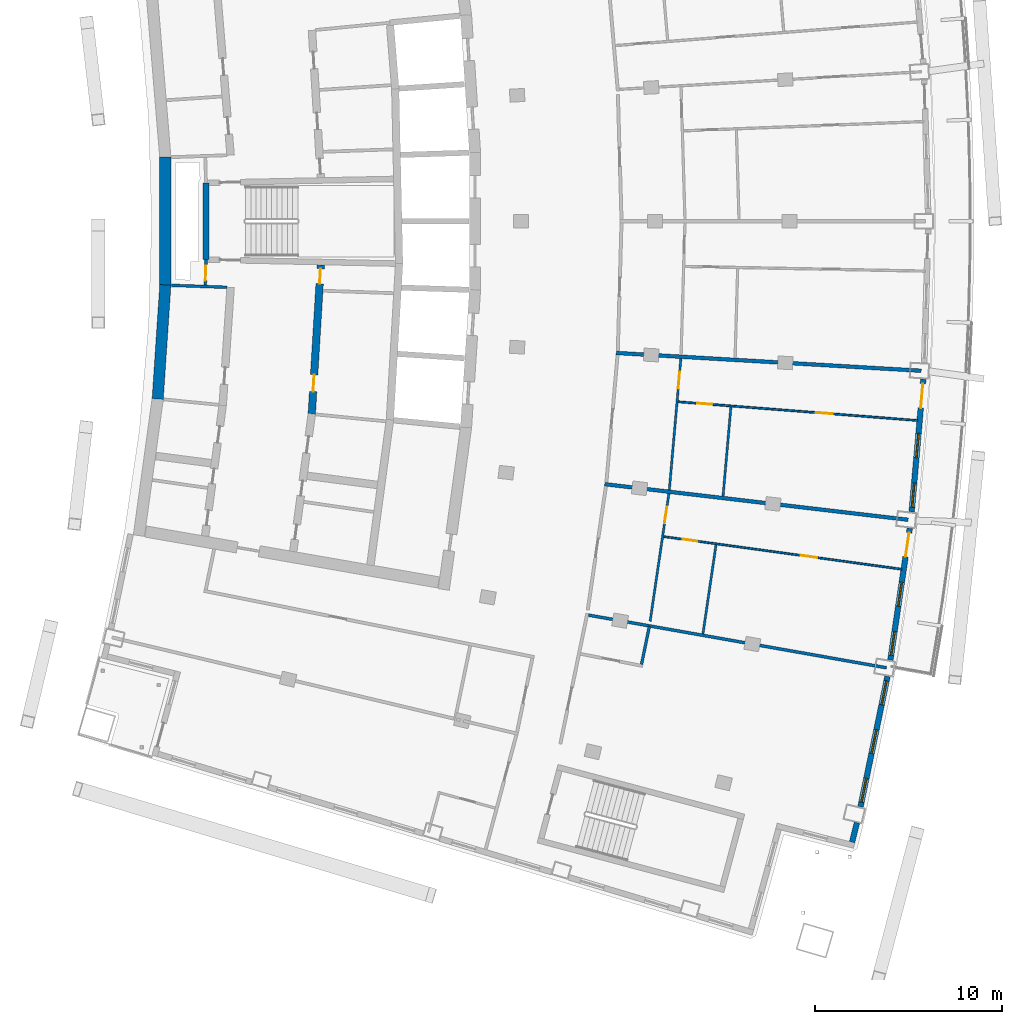
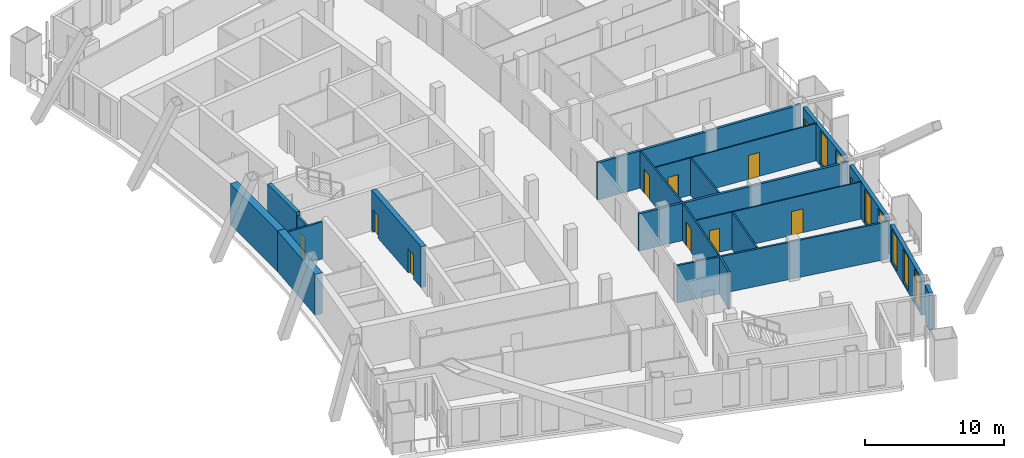
# One storey, part 11 of 19: 20 walls, 11 doors, 7 windows, 18 openings.
"""IFC4 building model written with IfcOpenShell, lengths in metres."""

import ifcopenshell
import ifcopenshell.guid

model = None  # the IFC model being written
_history = None  # IfcOwnerHistory: only IFC2X3 demands one
_inside = {}  # id of a spatial element -> (the spatial element, [elements in it])
_under = {}  # id of a project, library or spatial element -> (it, [spatial elements below it])
_declared = {}  # id of a project -> (the project, [libraries it declares])
_typed = {}  # id of a type object -> (the type object, [elements of that type])
_made_of = {}  # id of a material, layer set ... -> (it, [elements and type objects made of it])


def new_model(schema):
    """Start an empty IFC model of exactly this schema.

    Asked for "IFC4X3", IfcOpenShell would pick the latest addendum, in which some entities
    have other attributes; the version numbers below select the first issue.
    IFC2X3 requires an IfcOwnerHistory on every rooted entity: one is made here for all.
    """
    global model, _history
    if schema == "IFC4X3":
        model = ifcopenshell.file(schema_version=(4, 3, 0, 0))
    else:
        model = ifcopenshell.file(schema=schema)
    _inside.clear()
    _under.clear()
    _declared.clear()
    _typed.clear()
    _made_of.clear()
    _history = None
    if model.schema == "IFC2X3":
        org = make("IfcOrganization", Name="unknown")
        user = make(
            "IfcPersonAndOrganization",
            ThePerson=make("IfcPerson", FamilyName="unknown"),
            TheOrganization=org,
        )
        app = make(
            "IfcApplication",
            ApplicationDeveloper=org,
            Version="unknown",
            ApplicationFullName="unknown",
            ApplicationIdentifier="unknown",
        )
        _history = make(
            "IfcOwnerHistory",
            OwningUser=user,
            OwningApplication=app,
            ChangeAction="ADDED",
            CreationDate=0,
        )
    return model


def make(cls, **values):
    """One entity of the class cls with the attributes given. An attribute that is None is left unset."""
    return model.create_entity(
        cls, **{name: value for name, value in values.items() if value is not None}
    )


def rooted(cls, **values):
    """An entity with a GlobalId (a new one), such as an element, a storey or a relation."""
    return make(cls, GlobalId=ifcopenshell.guid.new(), OwnerHistory=_history, **values)


def si_unit(unit_type, name, prefix=None):
    """IfcSIUnit, for example si_unit("LENGTHUNIT", "METRE", prefix="MILLI")."""
    return make("IfcSIUnit", UnitType=unit_type, Prefix=prefix, Name=name)


def assignment(units):
    """IfcUnitAssignment: the units of a project."""
    return None if units is None else make("IfcUnitAssignment", Units=units)


def point(xyz):
    """IfcCartesianPoint."""
    return None if xyz is None else make("IfcCartesianPoint", Coordinates=xyz)


def direction(xyz):
    """IfcDirection."""
    return None if xyz is None else make("IfcDirection", DirectionRatios=xyz)


def frame(location, z_axis=None, x_axis=None):
    """IfcAxis2Placement3D, a coordinate frame: its origin and axes. An axis left out is left unset."""
    return make(
        "IfcAxis2Placement3D",
        Location=point(location),
        Axis=direction(z_axis),
        RefDirection=direction(x_axis),
    )


def frame_2d(location, x_axis=None):
    """IfcAxis2Placement2D, a coordinate frame in the plane: its origin and x axis."""
    return make(
        "IfcAxis2Placement2D", Location=point(location), RefDirection=direction(x_axis)
    )


def origin():
    """The frame at (0, 0, 0) with its axes left unset."""
    return frame((0.0, 0.0, 0.0))


def place(relative_to, where):
    """IfcLocalPlacement: puts the frame where relative to a parent placement (None: the world)."""
    return make(
        "IfcLocalPlacement", PlacementRelTo=relative_to, RelativePlacement=where
    )


def context(
    kind, dimensions, precision=None, world=None, true_north=None, identifier=None
):
    """IfcGeometricRepresentationContext, for example the 3D "Model" context."""
    return make(
        "IfcGeometricRepresentationContext",
        ContextIdentifier=identifier,
        ContextType=kind,
        CoordinateSpaceDimension=dimensions,
        Precision=precision,
        WorldCoordinateSystem=world,
        TrueNorth=true_north,
    )


def subcontext(parent, identifier, kind, view, scale=None):
    """IfcGeometricRepresentationSubContext, for example "Body" below "Model"."""
    return make(
        "IfcGeometricRepresentationSubContext",
        ContextIdentifier=identifier,
        ContextType=kind,
        ParentContext=parent,
        TargetScale=scale,
        TargetView=view,
    )


def project(units=None, contexts=None):
    """IfcProject with its units and contexts."""
    return rooted(
        "IfcProject",
        Name="project",
        RepresentationContexts=contexts,
        UnitsInContext=assignment(units),
    )


def spatial(cls, under=None, at=None, **own):
    """A site, building, storey or space (cls), placed at a placement, below another one or the project."""
    s = rooted(cls, ObjectPlacement=at, **own)
    if under is not None:
        _under.setdefault(under.id(), (under, []))[1].append(s)
    return s


def profile(cls, at=None, kind="AREA", **sizes):
    """A parametric profile (cls). Its sizes go by their IFC names, for example OverallWidth=200.0."""
    return make(cls, ProfileType=kind, Position=at, **sizes)


def rectangle(**sizes):
    """IfcRectangleProfileDef."""
    return profile("IfcRectangleProfileDef", **sizes)


def extrude(swept, where, along, depth):
    """IfcExtrudedAreaSolid: the profile swept, set in the frame where, extruded along a direction by depth."""
    return make(
        "IfcExtrudedAreaSolid",
        SweptArea=swept,
        Position=where,
        ExtrudedDirection=direction(along),
        Depth=depth,
    )


def shape(context_of_items, identifier, shape_type, items):
    """IfcShapeRepresentation: the items that make up one representation, for example the "Body"."""
    return make(
        "IfcShapeRepresentation",
        ContextOfItems=context_of_items,
        RepresentationIdentifier=identifier,
        RepresentationType=shape_type,
        Items=items,
    )


def material(Name=None, Category=None):
    """IfcMaterial."""
    return make("IfcMaterial", Name=Name, Category=Category)


def layer(
    of_material, thickness, ventilated=None, Name=None, Category=None, Priority=None
):
    """IfcMaterialLayer: one layer of a wall or slab, of a material (None: an air gap)."""
    return make(
        "IfcMaterialLayer",
        Material=of_material,
        LayerThickness=thickness,
        IsVentilated=ventilated,
        Name=Name,
        Category=Category,
        Priority=Priority,
    )


def layer_set(layers, Name=None):
    """IfcMaterialLayerSet."""
    return make("IfcMaterialLayerSet", MaterialLayers=layers, LayerSetName=Name)


def made_of(thing, what):
    """Note that an element or type object is made of a material, layer set ...; save() writes the relation."""
    if what is not None:
        _made_of.setdefault(what.id(), (what, []))[1].append(thing)
    return thing


def type_object(cls, material=None, **own):
    """A type object (cls), such as IfcWallType, which elements share."""
    return made_of(rooted(cls, **own), material)


def element(
    cls,
    number,
    at=None,
    inside=None,
    cuts=None,
    type_object=None,
    material=None,
    context=None,
    identifier="Body",
    shape_type=None,
    held_by="IfcProductDefinitionShape",
    body=None,
    shapes=None,
    **own,
):
    """One element of the class cls, such as IfcWall. Its Tag is "e" and its number.

    at: its placement. inside: the storey or other place that contains it. cuts: it is an
    opening in that element (IfcRelVoidsElement). A single representation is given by context,
    identifier, shape_type and body (its items); several are given by shapes. held_by: the class
    of the entity that holds the representations. save() writes the other relations.
    """
    e = rooted(cls, Tag="e%d" % number, ObjectPlacement=at, **own)
    if body is not None:
        shapes = [shape(context, identifier, shape_type, body)]
    if shapes is not None:
        e.Representation = make(held_by, Representations=shapes)
    if inside is not None:
        _inside.setdefault(inside.id(), (inside, []))[1].append(e)
    if cuts is not None:
        rooted(
            "IfcRelVoidsElement", RelatingBuildingElement=cuts, RelatedOpeningElement=e
        )
    if type_object is not None:
        _typed.setdefault(type_object.id(), (type_object, []))[1].append(e)
    return made_of(e, material)


def fill(opening, filler):
    """IfcRelFillsElement: the door or window that sits in an opening."""
    return rooted(
        "IfcRelFillsElement",
        RelatingOpeningElement=opening,
        RelatedBuildingElement=filler,
    )


def aggregate(whole, parts):
    """IfcRelAggregates: a whole, such as a stair, and the parts it consists of."""
    return rooted("IfcRelAggregates", RelatingObject=whole, RelatedObjects=parts)


def save(model, path):
    """Write the relations noted so far, then the file.

    IfcRelAggregates (storeys below a building ...), IfcRelContainedInSpatialStructure (elements
    in a storey), IfcRelDefinesByType, IfcRelAssociatesMaterial and IfcRelDeclares: one each for
    every whole, place, type object, material and project.
    """
    for whole, parts in _under.values():
        aggregate(whole, parts)
    for where, things in _inside.values():
        rooted(
            "IfcRelContainedInSpatialStructure",
            RelatedElements=things,
            RelatingStructure=where,
        )
    for kind, things in _typed.values():
        rooted("IfcRelDefinesByType", RelatedObjects=things, RelatingType=kind)
    for what, things in _made_of.values():
        rooted("IfcRelAssociatesMaterial", RelatedObjects=things, RelatingMaterial=what)
    for by, libraries in _declared.values():
        rooted("IfcRelDeclares", RelatingContext=by, RelatedDefinitions=libraries)
    model.write(path)


model = new_model("IFC4")

# Units and contexts
model_context = context("Model", 3, precision=1e-05, world=origin(), true_north=direction((0.0, 1.0)))
body_context = subcontext(model_context, "Body", "Model", "MODEL_VIEW")
ifc_project = project(units=[si_unit("LENGTHUNIT", "METRE"), si_unit("AREAUNIT", "SQUARE_METRE"), si_unit("VOLUMEUNIT", "CUBIC_METRE"), si_unit("PLANEANGLEUNIT", "RADIAN"), si_unit("MASSUNIT", "GRAM", prefix="KILO")], contexts=[model_context])

# Site, building, storey
site_placement = place(None, origin())
site = spatial("IfcSite", under=ifc_project, at=site_placement, CompositionType="ELEMENT")
building_placement = place(site_placement, origin())
building = spatial("IfcBuilding", under=site, at=building_placement, Name="Alderwake Tower", CompositionType="ELEMENT")
storey_placement = place(building_placement, frame((0.0, 0.0, 221.60009765625)))
storey = spatial("IfcBuildingStorey", under=building, at=storey_placement, Name="L55", CompositionType="ELEMENT", Elevation=221.60009765625)

# Wall, opening, door
ifc_material_1 = material(Name="Gypsum shaft wall system, rated")
ifc_layer_1 = layer(ifc_material_1, 0.14990234375)
ifc_layer_set_1 = layer_set([ifc_layer_1], Name="Core room partition 150")
wall_type_1 = type_object("IfcWallType", Name="Core room partition 150", PredefinedType="PARTITIONING", material=ifc_layer_set_1)
wall_1_placement = place(storey_placement, frame((18.918701171875, 58.94384765625, 0.0), z_axis=(0.0, 0.0, 1.0), x_axis=(-0.027811602725, -0.999613182563, 0.0)))
wall_1 = element("IfcWall", 1, at=wall_1_placement, inside=storey, type_object=wall_type_1, Name="CW/L55/PA+24_-37", PredefinedType="PARTITIONING", context=body_context, shape_type="SweptSolid", body=[
    extrude(rectangle(XDim=1.369384765625, YDim=0.14990234375, at=frame_2d((0.6845703125, 0.0))), origin(), (0.0, 0.0, 1.0), 3.27978515625),
])
opening_1_placement = place(wall_1_placement, frame((0.322998046875, 0.0, 0.0)))
opening_1 = element("IfcOpeningElement", 2, at=opening_1_placement, cuts=wall_1, Name="Opening C004", PredefinedType="OPENING", context=body_context, shape_type="SweptSolid", body=[
    extrude(rectangle(XDim=0.800048828125, YDim=2.0, at=frame_2d((0.39990234375, 1.0))), frame((0.0, 0.0849609375, 0.0), z_axis=(0.0, -1.0, 0.0), x_axis=(1.0, 0.0, 0.0)), (0.0, 0.0, 1.0), 0.169921875),
])
ifc_material_2 = material(Name="Painted steel leaf, rated", Category="steel")
door_type_1 = type_object("IfcDoorType", Name="Riser access door 800", OperationType="SINGLE_SWING_LEFT", PredefinedType="DOOR", material=ifc_material_2)
door_1_placement = place(opening_1_placement, origin())
door_1 = element("IfcDoor", 3, at=door_1_placement, inside=storey, type_object=door_type_1, Name="Riser access door", OperationType="SINGLE_SWING_RIGHT", OverallHeight=2.0, OverallWidth=0.800048828125, PredefinedType="DOOR", context=body_context, shape_type="SweptSolid", body=[
    extrude(rectangle(XDim=0.800048828125, YDim=2.0, at=frame_2d((0.39990234375, 1.0))), frame((0.0, 0.02490234375, 0.0), z_axis=(0.0, -1.0, 0.0), x_axis=(1.0, 0.0, 0.0)), (0.0, 0.0, 1.0), 0.050048828125),
])
fill(opening_1, door_1)

# Walls
wall_2_placement = place(storey_placement, frame((17.0693359375, 57.56396484375, 0.0), z_axis=(0.0, 0.0, 1.0), x_axis=(0.999374945052, -0.03535136775, 0.0)))
element("IfcWall", 4, at=wall_2_placement, inside=storey, type_object=wall_type_1, Name="CW/L55/PR-37_+0", PredefinedType="PARTITIONING", context=body_context, shape_type="SweptSolid", body=[
    extrude(rectangle(XDim=2.9697265625, YDim=0.14990234375, at=frame_2d((1.48486328125, 0.0))), origin(), (0.0, 0.0, 1.0), 3.27978515625),
])
ifc_material_3 = material(Name="Concrete C70/85", Category="concrete")
ifc_layer_2 = layer(ifc_material_3, 0.60009765625)
ifc_layer_set_2 = layer_set([ifc_layer_2], Name="Core wall outer 600 C70-85")
wall_type_2 = type_object("IfcWallType", Name="Core wall outer 600 C70-85", PredefinedType="SHEAR", material=ifc_layer_set_2)
wall_3_placement = place(storey_placement, frame((16.330078125, 51.469970703125, 0.0), z_axis=(0.0, 0.0, 1.0), x_axis=(0.066870582109, 0.997761657536, 0.0)))
element("IfcWall", 5, at=wall_3_placement, inside=storey, type_object=wall_type_2, Name="Core wall CW.036", PredefinedType="SHEAR", context=body_context, shape_type="SweptSolid", body=[
    extrude(rectangle(XDim=6.1298828125, YDim=0.60009765625, at=frame_2d((3.06494140625, 0.0))), origin(), (0.0, 0.0, 1.0), 3.599853515625),
])
wall_4_placement = place(storey_placement, frame((16.739501953125, 57.565185546875, 0.0), z_axis=(0.0, 0.0, 1.0), x_axis=(0.0, 1.0, 0.0)))
element("IfcWall", 6, at=wall_4_placement, inside=storey, type_object=wall_type_2, Name="Core wall CW.038", PredefinedType="SHEAR", context=body_context, shape_type="SweptSolid", body=[
    extrude(rectangle(XDim=6.8720703125, YDim=0.60009765625, at=frame_2d((3.43603515625, 0.0))), origin(), (0.0, 0.0, 1.0), 3.599853515625),
])

# Wall, openings, doors
ifc_material_4 = material(Name="Concrete C70/85", Category="concrete")
ifc_layer_3 = layer(ifc_material_4, 0.39990234375)
ifc_layer_set_3 = layer_set([ifc_layer_3], Name="Core wall spine 400 C70-85")
wall_type_3 = type_object("IfcWallType", Name="Core wall spine 400 C70-85", PredefinedType="SHEAR", material=ifc_layer_set_3)
wall_5_placement = place(storey_placement, frame((24.590087890625, 50.65673828125, 0.0), z_axis=(0.0, 0.0, 1.0), x_axis=(0.060318641452, 0.998179173041, 0.0)))
wall_5 = element("IfcWall", 7, at=wall_5_placement, inside=storey, type_object=wall_type_3, Name="Core wall CW.046", PredefinedType="SHEAR", context=body_context, shape_type="SweptSolid", body=[
    extrude(rectangle(XDim=8.022216796875, YDim=0.39990234375, at=frame_2d((4.01123046875, 0.0))), origin(), (0.0, 0.0, 1.0), 3.599853515625),
])
opening_2_placement = place(wall_5_placement, frame((7.006103515625, 0.0, 0.0)))
opening_2 = element("IfcOpeningElement", 8, at=opening_2_placement, cuts=wall_5, Name="Opening C006", PredefinedType="OPENING", context=body_context, shape_type="SweptSolid", body=[
    extrude(rectangle(XDim=0.800048828125, YDim=2.0, at=frame_2d((0.39990234375, 1.0))), frame((0.0, 0.2099609375, 0.0), z_axis=(0.0, -1.0, 0.0), x_axis=(1.0, 0.0, 0.0)), (0.0, 0.0, 1.0), 0.419921875),
])
opening_3_placement = place(wall_5_placement, frame((1.21533203125, 0.0, 0.0)))
opening_3 = element("IfcOpeningElement", 9, at=opening_3_placement, cuts=wall_5, Name="Opening C046", PredefinedType="OPENING", context=body_context, shape_type="SweptSolid", body=[
    extrude(rectangle(XDim=0.89990234375, YDim=2.10009765625, at=frame_2d((0.449951171875, 1.050048828125))), frame((0.0, 0.2099609375, 0.0), z_axis=(0.0, -1.0, 0.0), x_axis=(1.0, 0.0, 0.0)), (0.0, 0.0, 1.0), 0.419921875),
])
ifc_material_5 = material(Name="Painted steel leaf", Category="steel")
door_type_2 = type_object("IfcDoorType", Name="Core room door 900", OperationType="SINGLE_SWING_LEFT", PredefinedType="DOOR", material=ifc_material_5)
door_2_placement = place(opening_3_placement, origin())
door_2 = element("IfcDoor", 10, at=door_2_placement, inside=storey, type_object=door_type_2, Name="Room door", OperationType="SINGLE_SWING_RIGHT", OverallHeight=2.10009765625, OverallWidth=0.89990234375, PredefinedType="DOOR", context=body_context, shape_type="SweptSolid", body=[
    extrude(rectangle(XDim=0.89990234375, YDim=2.10009765625, at=frame_2d((0.449951171875, 1.050048828125))), frame((0.0, 0.02490234375, 0.0), z_axis=(0.0, -1.0, 0.0), x_axis=(1.0, 0.0, 0.0)), (0.0, 0.0, 1.0), 0.050048828125),
])
fill(opening_3, door_2)
door_3_placement = place(opening_2_placement, origin())
door_3 = element("IfcDoor", 11, at=door_3_placement, inside=storey, type_object=door_type_1, Name="Riser access door", OperationType="SINGLE_SWING_RIGHT", OverallHeight=2.0, OverallWidth=0.800048828125, PredefinedType="DOOR", context=body_context, shape_type="SweptSolid", body=[
    extrude(rectangle(XDim=0.800048828125, YDim=2.0, at=frame_2d((0.39990234375, 1.0))), frame((0.0, 0.02490234375, 0.0), z_axis=(0.0, -1.0, 0.0), x_axis=(1.0, 0.0, 0.0)), (0.0, 0.0, 1.0), 0.050048828125),
])
fill(opening_2, door_3)

# Walls
ifc_material_6 = material(Name="Concrete C70/85", Category="concrete")
ifc_layer_4 = layer(ifc_material_6, 0.300048828125)
ifc_layer_set_4 = layer_set([ifc_layer_4], Name="Core wall stair enclosure 300 C70-85")
wall_type_4 = type_object("IfcWallType", Name="Core wall stair enclosure 300 C70-85", PredefinedType="SHEAR", material=ifc_layer_set_4)
wall_6_placement = place(storey_placement, frame((18.918701171875, 58.940673828125, 0.0), z_axis=(0.0, 0.0, 1.0), x_axis=(0.0, 1.0, 0.0)))
element("IfcWall", 12, at=wall_6_placement, inside=storey, type_object=wall_type_4, Name="Core wall CW.024", PredefinedType="SHEAR", context=body_context, shape_type="SweptSolid", body=[
    extrude(rectangle(XDim=4.11962890625, YDim=0.300048828125, at=frame_2d((2.059814453125, 0.0))), origin(), (0.0, 0.0, 1.0), 3.599853515625),
])
ifc_material_7 = material(Name="Gypsum board on metal studs, rated")
ifc_layer_5 = layer(ifc_material_7, 0.159912109375)
ifc_layer_set_5 = layer_set([ifc_layer_5], Name="Corridor wall 160")
wall_type_5 = type_object("IfcWallType", Name="Corridor wall 160", PredefinedType="PARTITIONING", material=ifc_layer_set_5)
wall_7_placement = place(storey_placement, frame((55.40087890625, 37.05908203125, 0.0), z_axis=(0.0, 0.0, 1.0), x_axis=(-0.984730635728, 0.174084965054, 0.0)))
element("IfcWall", 13, at=wall_7_placement, inside=storey, type_object=wall_type_5, Name="WL/L55/W30", PredefinedType="PARTITIONING", context=body_context, shape_type="SweptSolid", body=[
    extrude(rectangle(XDim=16.221923828125, YDim=0.159912109375, at=frame_2d((8.11083984375, 0.0))), origin(), (0.0, 0.0, 1.0), 3.27978515625),
])
ifc_material_8 = material(Name="Precast concrete C50/60 spandrel panel", Category="concrete")
ifc_layer_6 = layer(ifc_material_8, 0.300048828125)
ifc_layer_set_6 = layer_set([ifc_layer_6], Name="External wall EW1 Precast concrete C50/60 spandrel")
wall_type_6 = type_object("IfcWallType", Name="External wall EW1 Precast concrete C50/60 spandrel", PredefinedType="SOLIDWALL", material=ifc_layer_set_6)
wall_8_placement = place(storey_placement, frame((53.560546875, 27.70849609375, 0.0), z_axis=(0.0, 0.0, 1.0), x_axis=(0.238370874344, 0.971174199752, 0.0)))
element("IfcWall", 14, at=wall_8_placement, inside=storey, type_object=wall_type_6, Name="External wall 11", PredefinedType="SOLIDWALL", context=body_context, shape_type="SweptSolid", body=[
    extrude(rectangle(XDim=1.076416015625, YDim=0.300048828125, at=frame_2d((0.5380859375, 0.0))), origin(), (0.0, 0.0, 1.0), 3.27978515625),
])

# Wall, openings, windows
wall_9_placement = place(storey_placement, frame((54.010498046875, 29.6103515625, 0.0), z_axis=(0.0, 0.0, 1.0), x_axis=(0.202739139566, 0.979232781972, 0.0)))
wall_9 = element("IfcWall", 15, at=wall_9_placement, inside=storey, type_object=wall_type_6, Name="External wall 12", PredefinedType="SOLIDWALL", context=body_context, shape_type="SweptSolid", body=[
    extrude(rectangle(XDim=7.1337890625, YDim=0.300048828125, at=frame_2d((3.56689453125, 0.0))), origin(), (0.0, 0.0, 1.0), 3.27978515625),
])
opening_4_placement = place(wall_9_placement, frame((0.24560546875, 0.0, 0.199951171875)))
opening_4 = element("IfcOpeningElement", 16, at=opening_4_placement, cuts=wall_9, Name="Opening W1", PredefinedType="OPENING", context=body_context, shape_type="SweptSolid", body=[
    extrude(rectangle(XDim=1.300048828125, YDim=2.89990234375, at=frame_2d((0.64990234375, 1.449951171875))), frame((0.0, 0.159912109375, 0.0), z_axis=(0.0, -1.0, 0.0), x_axis=(1.0, 0.0, 0.0)), (0.0, 0.0, 1.0), 0.320068359375),
])
opening_5_placement = place(wall_9_placement, frame((2.916748046875, 0.0, 0.199951171875)))
opening_5 = element("IfcOpeningElement", 17, at=opening_5_placement, cuts=wall_9, Name="Opening W1", PredefinedType="OPENING", context=body_context, shape_type="SweptSolid", body=[
    extrude(rectangle(XDim=1.300048828125, YDim=2.89990234375, at=frame_2d((0.64990234375, 1.449951171875))), frame((0.0, 0.159912109375, 0.0), z_axis=(0.0, -1.0, 0.0), x_axis=(1.0, 0.0, 0.0)), (0.0, 0.0, 1.0), 0.320068359375),
])
opening_6_placement = place(wall_9_placement, frame((5.588134765625, 0.0, 0.199951171875)))
opening_6 = element("IfcOpeningElement", 18, at=opening_6_placement, cuts=wall_9, Name="Opening W1", PredefinedType="OPENING", context=body_context, shape_type="SweptSolid", body=[
    extrude(rectangle(XDim=1.300048828125, YDim=2.89990234375, at=frame_2d((0.64990234375, 1.449951171875))), frame((0.0, 0.159912109375, 0.0), z_axis=(0.0, -1.0, 0.0), x_axis=(1.0, 0.0, 0.0)), (0.0, 0.0, 1.0), 0.320068359375),
])
ifc_material_9 = material(Name="Bronze tinted glass in aluminium frame", Category="aluminium")
window_type = type_object("IfcWindowType", Name="Window W1 tall fixed and vent", PartitioningType="DOUBLE_PANEL_VERTICAL", PredefinedType="WINDOW", material=ifc_material_9)
window_1_placement = place(opening_4_placement, origin())
window_1 = element("IfcWindow", 19, at=window_1_placement, inside=storey, type_object=window_type, Name="Window W1 tall fixed and vent", OverallHeight=2.89990234375, OverallWidth=1.300048828125, PartitioningType="DOUBLE_PANEL_VERTICAL", PredefinedType="WINDOW", context=body_context, shape_type="SweptSolid", body=[
    extrude(rectangle(XDim=1.300048828125, YDim=2.89990234375, at=frame_2d((0.64990234375, 1.449951171875))), frame((0.0, 0.030029296875, 0.0), z_axis=(0.0, -1.0, 0.0), x_axis=(1.0, 0.0, 0.0)), (0.0, 0.0, 1.0), 0.06005859375),
])
fill(opening_4, window_1)
window_2_placement = place(opening_5_placement, origin())
window_2 = element("IfcWindow", 20, at=window_2_placement, inside=storey, type_object=window_type, Name="Window W1 tall fixed and vent", OverallHeight=2.89990234375, OverallWidth=1.300048828125, PartitioningType="DOUBLE_PANEL_VERTICAL", PredefinedType="WINDOW", context=body_context, shape_type="SweptSolid", body=[
    extrude(rectangle(XDim=1.300048828125, YDim=2.89990234375, at=frame_2d((0.64990234375, 1.449951171875))), frame((0.0, 0.030029296875, 0.0), z_axis=(0.0, -1.0, 0.0), x_axis=(1.0, 0.0, 0.0)), (0.0, 0.0, 1.0), 0.06005859375),
])
fill(opening_5, window_2)
window_3_placement = place(opening_6_placement, origin())
window_3 = element("IfcWindow", 21, at=window_3_placement, inside=storey, type_object=window_type, Name="Window W1 tall fixed and vent", OverallHeight=2.89990234375, OverallWidth=1.300048828125, PartitioningType="DOUBLE_PANEL_VERTICAL", PredefinedType="WINDOW", context=body_context, shape_type="SweptSolid", body=[
    extrude(rectangle(XDim=1.300048828125, YDim=2.89990234375, at=frame_2d((0.64990234375, 1.449951171875))), frame((0.0, 0.030029296875, 0.0), z_axis=(0.0, -1.0, 0.0), x_axis=(1.0, 0.0, 0.0)), (0.0, 0.0, 1.0), 0.06005859375),
])
fill(opening_6, window_3)

# Wall, openings, door, windows
wall_10_placement = place(storey_placement, frame((55.612548828125, 37.4765625, 0.0), z_axis=(0.0, 0.0, 1.0), x_axis=(0.14531565173, 0.989385345233, 0.0)))
wall_10 = element("IfcWall", 22, at=wall_10_placement, inside=storey, type_object=wall_type_6, Name="External wall 13", PredefinedType="SOLIDWALL", context=body_context, shape_type="SweptSolid", body=[
    extrude(rectangle(XDim=7.133544921875, YDim=0.300048828125, at=frame_2d((3.56689453125, 0.0))), origin(), (0.0, 0.0, 1.0), 3.27978515625),
])
opening_7_placement = place(wall_10_placement, frame((0.24560546875, 0.0, 0.199951171875)))
opening_7 = element("IfcOpeningElement", 23, at=opening_7_placement, cuts=wall_10, Name="Opening W1", PredefinedType="OPENING", context=body_context, shape_type="SweptSolid", body=[
    extrude(rectangle(XDim=1.300048828125, YDim=2.89990234375, at=frame_2d((0.64990234375, 1.449951171875))), frame((0.0, 0.159912109375, 0.0), z_axis=(0.0, -1.0, 0.0), x_axis=(1.0, 0.0, 0.0)), (0.0, 0.0, 1.0), 0.320068359375),
])
opening_8_placement = place(wall_10_placement, frame((2.916748046875, 0.0, 0.199951171875)))
opening_8 = element("IfcOpeningElement", 24, at=opening_8_placement, cuts=wall_10, Name="Opening W1", PredefinedType="OPENING", context=body_context, shape_type="SweptSolid", body=[
    extrude(rectangle(XDim=1.300048828125, YDim=2.89990234375, at=frame_2d((0.64990234375, 1.449951171875))), frame((0.0, 0.159912109375, 0.0), z_axis=(0.0, -1.0, 0.0), x_axis=(1.0, 0.0, 0.0)), (0.0, 0.0, 1.0), 0.320068359375),
])
opening_9_placement = place(wall_10_placement, frame((5.588134765625, 0.0, 0.0)))
opening_9 = element("IfcOpeningElement", 25, at=opening_9_placement, cuts=wall_10, Name="Opening D02", PredefinedType="OPENING", context=body_context, shape_type="SweptSolid", body=[
    extrude(rectangle(XDim=1.300048828125, YDim=2.39990234375, at=frame_2d((0.64990234375, 1.199951171875))), frame((0.0, 0.159912109375, 0.0), z_axis=(0.0, -1.0, 0.0), x_axis=(1.0, 0.0, 0.0)), (0.0, 0.0, 1.0), 0.320068359375),
])
ifc_material_10 = material(Name="Bronze tinted glass in aluminium frame", Category="aluminium")
door_type_3 = type_object("IfcDoorType", Name="Balcony door BD sliding", OperationType="SLIDING_TO_LEFT", PredefinedType="DOOR", material=ifc_material_10)
door_4_placement = place(opening_9_placement, origin())
door_4 = element("IfcDoor", 26, at=door_4_placement, inside=storey, type_object=door_type_3, Name="Door D02", OperationType="SLIDING_TO_LEFT", OverallHeight=2.39990234375, OverallWidth=1.300048828125, PredefinedType="DOOR", context=body_context, shape_type="SweptSolid", body=[
    extrude(rectangle(XDim=1.300048828125, YDim=2.39990234375, at=frame_2d((0.64990234375, 1.199951171875))), frame((0.0, 0.02490234375, 0.0), z_axis=(0.0, -1.0, 0.0), x_axis=(1.0, 0.0, 0.0)), (0.0, 0.0, 1.0), 0.050048828125),
])
fill(opening_9, door_4)
window_4_placement = place(opening_7_placement, origin())
window_4 = element("IfcWindow", 27, at=window_4_placement, inside=storey, type_object=window_type, Name="Window W1 tall fixed and vent", OverallHeight=2.89990234375, OverallWidth=1.300048828125, PartitioningType="DOUBLE_PANEL_VERTICAL", PredefinedType="WINDOW", context=body_context, shape_type="SweptSolid", body=[
    extrude(rectangle(XDim=1.300048828125, YDim=2.89990234375, at=frame_2d((0.64990234375, 1.449951171875))), frame((0.0, 0.030029296875, 0.0), z_axis=(0.0, -1.0, 0.0), x_axis=(1.0, 0.0, 0.0)), (0.0, 0.0, 1.0), 0.06005859375),
])
fill(opening_7, window_4)
window_5_placement = place(opening_8_placement, origin())
window_5 = element("IfcWindow", 28, at=window_5_placement, inside=storey, type_object=window_type, Name="Window W1 tall fixed and vent", OverallHeight=2.89990234375, OverallWidth=1.300048828125, PartitioningType="DOUBLE_PANEL_VERTICAL", PredefinedType="WINDOW", context=body_context, shape_type="SweptSolid", body=[
    extrude(rectangle(XDim=1.300048828125, YDim=2.89990234375, at=frame_2d((0.64990234375, 1.449951171875))), frame((0.0, 0.030029296875, 0.0), z_axis=(0.0, -1.0, 0.0), x_axis=(1.0, 0.0, 0.0)), (0.0, 0.0, 1.0), 0.06005859375),
])
fill(opening_8, window_5)

wall_11_placement = place(storey_placement, frame((56.75341796875, 45.4228515625, 0.0), z_axis=(0.0, 0.0, 1.0), x_axis=(0.087372427007, 0.996175716929, 0.0)))
wall_11 = element("IfcWall", 29, at=wall_11_placement, inside=storey, type_object=wall_type_6, Name="External wall 14", PredefinedType="SOLIDWALL", context=body_context, shape_type="SweptSolid", body=[
    extrude(rectangle(XDim=7.1337890625, YDim=0.300048828125, at=frame_2d((3.56689453125, 0.0))), origin(), (0.0, 0.0, 1.0), 3.27978515625),
])
opening_10_placement = place(wall_11_placement, frame((0.24560546875, 0.0, 0.199951171875)))
opening_10 = element("IfcOpeningElement", 30, at=opening_10_placement, cuts=wall_11, Name="Opening W1", PredefinedType="OPENING", context=body_context, shape_type="SweptSolid", body=[
    extrude(rectangle(XDim=1.300048828125, YDim=2.89990234375, at=frame_2d((0.64990234375, 1.449951171875))), frame((0.0, 0.159912109375, 0.0), z_axis=(0.0, -1.0, 0.0), x_axis=(1.0, 0.0, 0.0)), (0.0, 0.0, 1.0), 0.320068359375),
])
opening_11_placement = place(wall_11_placement, frame((2.916748046875, 0.0, 0.199951171875)))
opening_11 = element("IfcOpeningElement", 31, at=opening_11_placement, cuts=wall_11, Name="Opening W1", PredefinedType="OPENING", context=body_context, shape_type="SweptSolid", body=[
    extrude(rectangle(XDim=1.300048828125, YDim=2.89990234375, at=frame_2d((0.64990234375, 1.449951171875))), frame((0.0, 0.159912109375, 0.0), z_axis=(0.0, -1.0, 0.0), x_axis=(1.0, 0.0, 0.0)), (0.0, 0.0, 1.0), 0.320068359375),
])
opening_12_placement = place(wall_11_placement, frame((5.588134765625, 0.0, 0.0)))
opening_12 = element("IfcOpeningElement", 32, at=opening_12_placement, cuts=wall_11, Name="Opening D03", PredefinedType="OPENING", context=body_context, shape_type="SweptSolid", body=[
    extrude(rectangle(XDim=1.300048828125, YDim=2.39990234375, at=frame_2d((0.64990234375, 1.199951171875))), frame((0.0, 0.159912109375, 0.0), z_axis=(0.0, -1.0, 0.0), x_axis=(1.0, 0.0, 0.0)), (0.0, 0.0, 1.0), 0.320068359375),
])
door_5_placement = place(opening_12_placement, origin())
door_5 = element("IfcDoor", 33, at=door_5_placement, inside=storey, type_object=door_type_3, Name="Door D03", OperationType="SLIDING_TO_LEFT", OverallHeight=2.39990234375, OverallWidth=1.300048828125, PredefinedType="DOOR", context=body_context, shape_type="SweptSolid", body=[
    extrude(rectangle(XDim=1.300048828125, YDim=2.39990234375, at=frame_2d((0.64990234375, 1.199951171875))), frame((0.0, 0.02490234375, 0.0), z_axis=(0.0, -1.0, 0.0), x_axis=(1.0, 0.0, 0.0)), (0.0, 0.0, 1.0), 0.050048828125),
])
fill(opening_12, door_5)
window_6_placement = place(opening_10_placement, origin())
window_6 = element("IfcWindow", 34, at=window_6_placement, inside=storey, type_object=window_type, Name="Window W1 tall fixed and vent", OverallHeight=2.89990234375, OverallWidth=1.300048828125, PartitioningType="DOUBLE_PANEL_VERTICAL", PredefinedType="WINDOW", context=body_context, shape_type="SweptSolid", body=[
    extrude(rectangle(XDim=1.300048828125, YDim=2.89990234375, at=frame_2d((0.64990234375, 1.449951171875))), frame((0.0, 0.030029296875, 0.0), z_axis=(0.0, -1.0, 0.0), x_axis=(1.0, 0.0, 0.0)), (0.0, 0.0, 1.0), 0.06005859375),
])
fill(opening_10, window_6)
window_7_placement = place(opening_11_placement, origin())
window_7 = element("IfcWindow", 35, at=window_7_placement, inside=storey, type_object=window_type, Name="Window W1 tall fixed and vent", OverallHeight=2.89990234375, OverallWidth=1.300048828125, PartitioningType="DOUBLE_PANEL_VERTICAL", PredefinedType="WINDOW", context=body_context, shape_type="SweptSolid", body=[
    extrude(rectangle(XDim=1.300048828125, YDim=2.89990234375, at=frame_2d((0.64990234375, 1.449951171875))), frame((0.0, 0.030029296875, 0.0), z_axis=(0.0, -1.0, 0.0), x_axis=(1.0, 0.0, 0.0)), (0.0, 0.0, 1.0), 0.06005859375),
])
fill(opening_11, window_7)

# Walls
ifc_material_11 = material(Name="Dense block masonry wall", Category="masonry")
ifc_layer_7 = layer(ifc_material_11, 0.199951171875)
ifc_layer_set_7 = layer_set([ifc_layer_7], Name="Party wall 200")
wall_type_7 = type_object("IfcWallType", Name="Party wall 200", PredefinedType="SOLIDWALL", material=ifc_layer_set_7)
wall_12_placement = place(storey_placement, frame((56.56494140625, 44.993896484375, 0.0), z_axis=(0.0, 0.0, 1.0), x_axis=(-0.993188503225, 0.116518655426, 0.0)))
element("IfcWall", 36, at=wall_12_placement, inside=storey, type_object=wall_type_7, Name="WL/L55/W03", PredefinedType="SOLIDWALL", context=body_context, shape_type="SweptSolid", body=[
    extrude(rectangle(XDim=16.37890625, YDim=0.199951171875, at=frame_2d((8.189453125, 0.0))), origin(), (0.0, 0.0, 1.0), 3.27978515625),
])
wall_13_placement = place(storey_placement, frame((57.26708984375, 52.98291015625, 0.0), z_axis=(0.0, 0.0, 1.0), x_axis=(-0.99829604526, 0.058352429413, 0.0)))
element("IfcWall", 37, at=wall_13_placement, inside=storey, type_object=wall_type_7, Name="WL/L55/W04", PredefinedType="SOLIDWALL", context=body_context, shape_type="SweptSolid", body=[
    extrude(rectangle(XDim=16.3798828125, YDim=0.199951171875, at=frame_2d((8.18994140625, 0.0))), origin(), (0.0, 0.0, 1.0), 3.27978515625),
])
ifc_material_12 = material(Name="Gypsum shaft wall system, rated")
ifc_layer_8 = layer(ifc_material_12, 0.14990234375)
ifc_layer_set_8 = layer_set([ifc_layer_8], Name="Riser and shaft wall 150")
wall_type_8 = type_object("IfcWallType", Name="Riser and shaft wall 150", PredefinedType="PARTITIONING", material=ifc_layer_set_8)
wall_14_placement = place(storey_placement, frame((42.270263671875, 37.243408203125, 0.0), z_axis=(0.0, 0.0, 1.0), x_axis=(0.202121820066, 0.979360388138, 0.0)))
element("IfcWall", 38, at=wall_14_placement, inside=storey, type_object=wall_type_8, Name="WL/L55/W09", PredefinedType="PARTITIONING", context=body_context, shape_type="SweptSolid", body=[
    extrude(rectangle(XDim=2.0859375, YDim=0.14990234375, at=frame_2d((1.04296875, 0.0))), origin(), (0.0, 0.0, 1.0), 3.27978515625),
])

# Wall, openings, doors
ifc_material_13 = material(Name="Gypsum board on metal studs")
ifc_layer_9 = layer(ifc_material_13, 0.10009765625)
ifc_layer_set_9 = layer_set([ifc_layer_9], Name="Unit partition 100")
wall_type_9 = type_object("IfcWallType", Name="Unit partition 100", PredefinedType="PARTITIONING", material=ifc_layer_set_9)
wall_15_placement = place(storey_placement, frame((56.22607421875, 42.342041015625, 0.0), z_axis=(0.0, 0.0, 1.0), x_axis=(-0.990736538088, 0.135798056313, 0.0)))
wall_15 = element("IfcWall", 39, at=wall_15_placement, inside=storey, type_object=wall_type_9, Name="WL/L55/W50", PredefinedType="PARTITIONING", context=body_context, shape_type="SweptSolid", body=[
    extrude(rectangle(XDim=12.885009765625, YDim=0.10009765625, at=frame_2d((6.4423828125, 0.0))), origin(), (0.0, 0.0, 1.0), 3.27978515625),
])
opening_13_placement = place(wall_15_placement, frame((11.0654296875, 0.0, 0.0)))
opening_13 = element("IfcOpeningElement", 40, at=opening_13_placement, cuts=wall_15, Name="Opening R16-U03.3", PredefinedType="OPENING", context=body_context, shape_type="SweptSolid", body=[
    extrude(rectangle(XDim=0.800048828125, YDim=2.10009765625, at=frame_2d((0.39990234375, 1.050048828125))), frame((0.0, 0.06005859375, 0.0), z_axis=(0.0, -1.0, 0.0), x_axis=(1.0, 0.0, 0.0)), (0.0, 0.0, 1.0), 0.1201171875),
])
opening_14_placement = place(wall_15_placement, frame((4.573486328125, 0.0, 0.0)))
opening_14 = element("IfcOpeningElement", 41, at=opening_14_placement, cuts=wall_15, Name="Opening R16-U03.4", PredefinedType="OPENING", context=body_context, shape_type="SweptSolid", body=[
    extrude(rectangle(XDim=0.89990234375, YDim=2.10009765625, at=frame_2d((0.449951171875, 1.050048828125))), frame((0.0, 0.06005859375, 0.0), z_axis=(0.0, -1.0, 0.0), x_axis=(1.0, 0.0, 0.0)), (0.0, 0.0, 1.0), 0.1201171875),
])
ifc_material_14 = material(Name="Painted timber leaf", Category="wood")
door_type_4 = type_object("IfcDoorType", Name="Bathroom door 800", OperationType="SINGLE_SWING_LEFT", PredefinedType="DOOR", material=ifc_material_14)
door_6_placement = place(opening_13_placement, origin())
door_6 = element("IfcDoor", 42, at=door_6_placement, inside=storey, type_object=door_type_4, Name="DR/L55/U03.3", OperationType="SINGLE_SWING_LEFT", OverallHeight=2.10009765625, OverallWidth=0.800048828125, PredefinedType="DOOR", context=body_context, shape_type="SweptSolid", body=[
    extrude(rectangle(XDim=0.800048828125, YDim=2.10009765625, at=frame_2d((0.39990234375, 1.050048828125))), frame((0.0, 0.02490234375, 0.0), z_axis=(0.0, -1.0, 0.0), x_axis=(1.0, 0.0, 0.0)), (0.0, 0.0, 1.0), 0.050048828125),
])
fill(opening_13, door_6)
ifc_material_15 = material(Name="Painted timber leaf", Category="wood")
door_type_5 = type_object("IfcDoorType", Name="Room door 900", OperationType="SINGLE_SWING_LEFT", PredefinedType="DOOR", material=ifc_material_15)
door_7_placement = place(opening_14_placement, origin())
door_7 = element("IfcDoor", 43, at=door_7_placement, inside=storey, type_object=door_type_5, Name="DR/L55/U03.4", OperationType="SINGLE_SWING_LEFT", OverallHeight=2.10009765625, OverallWidth=0.89990234375, PredefinedType="DOOR", context=body_context, shape_type="SweptSolid", body=[
    extrude(rectangle(XDim=0.89990234375, YDim=2.10009765625, at=frame_2d((0.449951171875, 1.050048828125))), frame((0.0, 0.02490234375, 0.0), z_axis=(0.0, -1.0, 0.0), x_axis=(1.0, 0.0, 0.0)), (0.0, 0.0, 1.0), 0.050048828125),
])
fill(opening_14, door_7)

wall_16_placement = place(storey_placement, frame((57.0810546875, 50.31591796875, 0.0), z_axis=(0.0, 0.0, 1.0), x_axis=(-0.99696329067, 0.077872954591, 0.0)))
wall_16 = element("IfcWall", 44, at=wall_16_placement, inside=storey, type_object=wall_type_9, Name="WL/L55/W51", PredefinedType="PARTITIONING", context=body_context, shape_type="SweptSolid", body=[
    extrude(rectangle(XDim=12.88525390625, YDim=0.10009765625, at=frame_2d((6.442626953125, 0.0))), origin(), (0.0, 0.0, 1.0), 3.27978515625),
])
opening_15_placement = place(wall_16_placement, frame((11.065185546875, 0.0, 0.0)))
opening_15 = element("IfcOpeningElement", 45, at=opening_15_placement, cuts=wall_16, Name="Opening R16-U04.3", PredefinedType="OPENING", context=body_context, shape_type="SweptSolid", body=[
    extrude(rectangle(XDim=0.800048828125, YDim=2.10009765625, at=frame_2d((0.39990234375, 1.050048828125))), frame((0.0, 0.06005859375, 0.0), z_axis=(0.0, -1.0, 0.0), x_axis=(1.0, 0.0, 0.0)), (0.0, 0.0, 1.0), 0.1201171875),
])
opening_16_placement = place(wall_16_placement, frame((4.572509765625, 0.0, 0.0)))
opening_16 = element("IfcOpeningElement", 46, at=opening_16_placement, cuts=wall_16, Name="Opening R16-U04.4", PredefinedType="OPENING", context=body_context, shape_type="SweptSolid", body=[
    extrude(rectangle(XDim=0.89990234375, YDim=2.10009765625, at=frame_2d((0.449951171875, 1.050048828125))), frame((0.0, 0.06005859375, 0.0), z_axis=(0.0, -1.0, 0.0), x_axis=(1.0, 0.0, 0.0)), (0.0, 0.0, 1.0), 0.1201171875),
])
door_8_placement = place(opening_15_placement, origin())
door_8 = element("IfcDoor", 47, at=door_8_placement, inside=storey, type_object=door_type_4, Name="DR/L55/U04.3", OperationType="SINGLE_SWING_LEFT", OverallHeight=2.10009765625, OverallWidth=0.800048828125, PredefinedType="DOOR", context=body_context, shape_type="SweptSolid", body=[
    extrude(rectangle(XDim=0.800048828125, YDim=2.10009765625, at=frame_2d((0.39990234375, 1.050048828125))), frame((0.0, 0.02490234375, 0.0), z_axis=(0.0, -1.0, 0.0), x_axis=(1.0, 0.0, 0.0)), (0.0, 0.0, 1.0), 0.050048828125),
])
fill(opening_15, door_8)
door_9_placement = place(opening_16_placement, origin())
door_9 = element("IfcDoor", 48, at=door_9_placement, inside=storey, type_object=door_type_5, Name="DR/L55/U04.4", OperationType="SINGLE_SWING_LEFT", OverallHeight=2.10009765625, OverallWidth=0.89990234375, PredefinedType="DOOR", context=body_context, shape_type="SweptSolid", body=[
    extrude(rectangle(XDim=0.89990234375, YDim=2.10009765625, at=frame_2d((0.449951171875, 1.050048828125))), frame((0.0, 0.02490234375, 0.0), z_axis=(0.0, -1.0, 0.0), x_axis=(1.0, 0.0, 0.0)), (0.0, 0.0, 1.0), 0.050048828125),
])
fill(opening_16, door_9)

# Wall, opening, door
ifc_material_16 = material(Name="Moisture resistant gypsum board on metal studs")
ifc_layer_10 = layer(ifc_material_16, 0.1201171875)
ifc_layer_set_10 = layer_set([ifc_layer_10], Name="Wet room partition 120")
wall_type_10 = type_object("IfcWallType", Name="Wet room partition 120", PredefinedType="PARTITIONING", material=ifc_layer_set_10)
wall_17_placement = place(storey_placement, frame((43.737548828125, 46.39794921875, 0.0), z_axis=(0.0, 0.0, 1.0), x_axis=(-0.14528876176, -0.989389294316, 0.0)))
wall_17 = element("IfcWall", 49, at=wall_17_placement, inside=storey, type_object=wall_type_10, Name="WL/L55/W39", PredefinedType="PARTITIONING", context=body_context, shape_type="SweptSolid", body=[
    extrude(rectangle(XDim=6.918212890625, YDim=0.1201171875, at=frame_2d((3.458984375, 0.0))), origin(), (0.0, 0.0, 1.0), 3.27978515625),
])
opening_17_placement = place(wall_17_placement, frame((0.71142578125, 0.0, 0.0)))
opening_17 = element("IfcOpeningElement", 50, at=opening_17_placement, cuts=wall_17, Name="Opening R16-U03.2", PredefinedType="OPENING", context=body_context, shape_type="SweptSolid", body=[
    extrude(rectangle(XDim=0.89990234375, YDim=2.10009765625, at=frame_2d((0.449951171875, 1.050048828125))), frame((0.0, 0.070068359375, 0.0), z_axis=(0.0, -1.0, 0.0), x_axis=(1.0, 0.0, 0.0)), (0.0, 0.0, 1.0), 0.14013671875),
])
door_10_placement = place(opening_17_placement, origin())
door_10 = element("IfcDoor", 51, at=door_10_placement, inside=storey, type_object=door_type_5, Name="DR/L55/U03.2", OperationType="SINGLE_SWING_LEFT", OverallHeight=2.10009765625, OverallWidth=0.89990234375, PredefinedType="DOOR", context=body_context, shape_type="SweptSolid", body=[
    extrude(rectangle(XDim=0.89990234375, YDim=2.10009765625, at=frame_2d((0.449951171875, 1.050048828125))), frame((0.0, 0.02490234375, 0.0), z_axis=(0.0, -1.0, 0.0), x_axis=(1.0, 0.0, 0.0)), (0.0, 0.0, 1.0), 0.050048828125),
])
fill(opening_17, door_10)

wall_18_placement = place(storey_placement, frame((44.379150390625, 53.63623046875, 0.0), z_axis=(0.0, 0.0, 1.0), x_axis=(-0.087510659507, -0.996163583189, 0.0)))
wall_18 = element("IfcWall", 52, at=wall_18_placement, inside=storey, type_object=wall_type_10, Name="WL/L55/W41", PredefinedType="PARTITIONING", context=body_context, shape_type="SweptSolid", body=[
    extrude(rectangle(XDim=7.066650390625, YDim=0.1201171875, at=frame_2d((3.533203125, 0.0))), origin(), (0.0, 0.0, 1.0), 3.27978515625),
])
opening_18_placement = place(wall_18_placement, frame((0.711181640625, 0.0, 0.0)))
opening_18 = element("IfcOpeningElement", 53, at=opening_18_placement, cuts=wall_18, Name="Opening R16-U04.2", PredefinedType="OPENING", context=body_context, shape_type="SweptSolid", body=[
    extrude(rectangle(XDim=0.89990234375, YDim=2.10009765625, at=frame_2d((0.449951171875, 1.050048828125))), frame((0.0, 0.070068359375, 0.0), z_axis=(0.0, -1.0, 0.0), x_axis=(1.0, 0.0, 0.0)), (0.0, 0.0, 1.0), 0.14013671875),
])
door_11_placement = place(opening_18_placement, origin())
door_11 = element("IfcDoor", 54, at=door_11_placement, inside=storey, type_object=door_type_5, Name="DR/L55/U04.2", OperationType="SINGLE_SWING_LEFT", OverallHeight=2.10009765625, OverallWidth=0.89990234375, PredefinedType="DOOR", context=body_context, shape_type="SweptSolid", body=[
    extrude(rectangle(XDim=0.89990234375, YDim=2.10009765625, at=frame_2d((0.449951171875, 1.050048828125))), frame((0.0, 0.02490234375, 0.0), z_axis=(0.0, -1.0, 0.0), x_axis=(1.0, 0.0, 0.0)), (0.0, 0.0, 1.0), 0.050048828125),
])
fill(opening_18, door_11)

# Walls
wall_19_placement = place(storey_placement, frame((45.563720703125, 38.881103515625, 0.0), z_axis=(0.0, 0.0, 1.0), x_axis=(0.145194059343, 0.989403196443, 0.0)))
element("IfcWall", 55, at=wall_19_placement, inside=storey, type_object=wall_type_10, Name="WL/L55/W44", PredefinedType="PARTITIONING", context=body_context, shape_type="SweptSolid", body=[
    extrude(rectangle(XDim=4.82763671875, YDim=0.1201171875, at=frame_2d((2.413818359375, 0.0))), origin(), (0.0, 0.0, 1.0), 3.27978515625),
])
wall_20_placement = place(storey_placement, frame((46.640869140625, 46.2578125, 0.0), z_axis=(0.0, 0.0, 1.0), x_axis=(0.087714452347, 0.996145659454, 0.0)))
element("IfcWall", 56, at=wall_20_placement, inside=storey, type_object=wall_type_10, Name="WL/L55/W45", PredefinedType="PARTITIONING", context=body_context, shape_type="SweptSolid", body=[
    extrude(rectangle(XDim=4.806884765625, YDim=0.1201171875, at=frame_2d((2.4033203125, 0.0))), origin(), (0.0, 0.0, 1.0), 3.27978515625),
])

save(model, "model.ifc")
